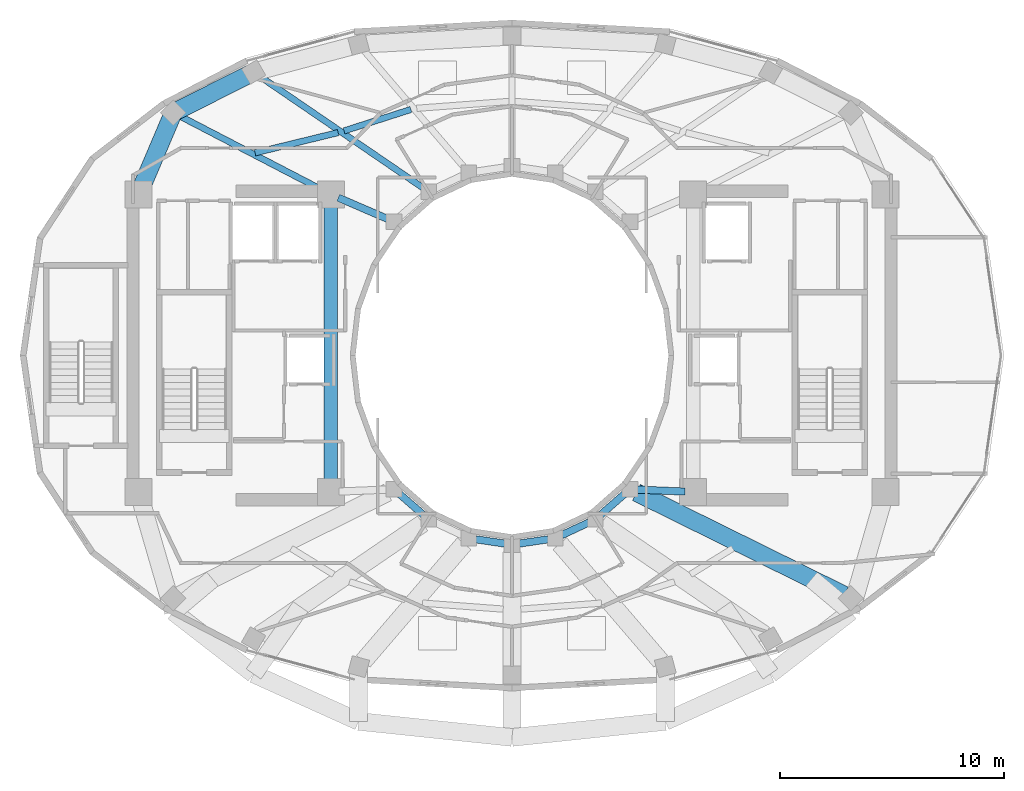
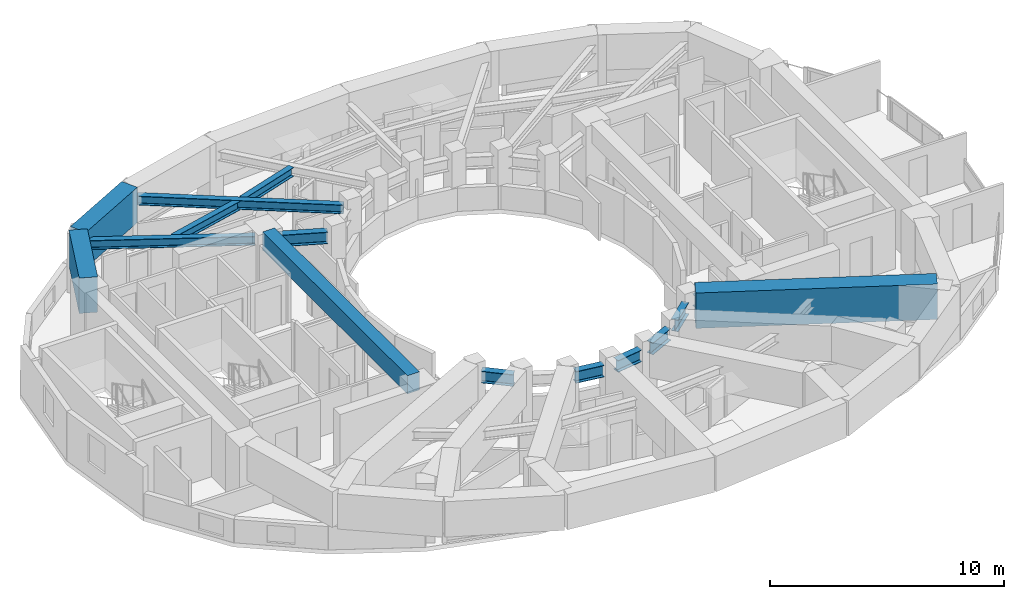
# One storey, part 5 of 19: 15 beams.
"""IFC4 building model written with IfcOpenShell, lengths in metres."""

from ifc_helpers import new_model, si_unit, direction, frame, origin, origin_2d, place, context, subcontext, project, spatial, rectangle, i_section, extrude, material, material_profile, profile_set, type_object, element, save


model = new_model("IFC4")

# Units and contexts
model_context = context("Model", 3, precision=1e-05, world=origin(), true_north=direction((0.0, 1.0)))
body_context = subcontext(model_context, "Body", "Model", "MODEL_VIEW")
ifc_project = project(units=[si_unit("LENGTHUNIT", "METRE"), si_unit("AREAUNIT", "SQUARE_METRE"), si_unit("VOLUMEUNIT", "CUBIC_METRE"), si_unit("PLANEANGLEUNIT", "RADIAN"), si_unit("MASSUNIT", "GRAM", prefix="KILO")], contexts=[model_context])

# Site, building, storey
site_placement = place(None, origin())
site = spatial("IfcSite", under=ifc_project, at=site_placement, CompositionType="ELEMENT")
building_placement = place(site_placement, origin())
building = spatial("IfcBuilding", under=site, at=building_placement, Name="Solvane Sanctuary Tower", CompositionType="ELEMENT")
storey_placement = place(building_placement, frame((0.0, 0.0, 207.800048828125)))
storey = spatial("IfcBuildingStorey", under=building, at=storey_placement, Name="L63", CompositionType="ELEMENT", Elevation=207.800048828125)

# Beams
ifc_material_1 = material(Name="Concrete C70/85", Category="concrete")
ifc_material_profile_1 = material_profile(ifc_material_1, rectangle(XDim=0.60009765625, YDim=0.949951171875, at=origin_2d()), Name="RC600X950")
ifc_profile_set_1 = profile_set([ifc_material_profile_1], Name="Concrete C70/85")
beam_type_1 = type_object("IfcBeamType", Name="Beam B-COUPLE RC600X950", PredefinedType="LINTEL", material=ifc_profile_set_1)
beam_1_placement = place(storey_placement, frame((23.89990234375, 17.35009765625, 2.625), z_axis=(0.0, 1.0, 0.0), x_axis=(-1.0, 0.0, 0.0)))
element("IfcBeam", 1, at=beam_1_placement, inside=storey, type_object=beam_type_1, Name="L63 West Core Coupling Lintel", PredefinedType="LINTEL", context=body_context, shape_type="SweptSolid", body=[
    extrude(rectangle(XDim=0.60009765625, YDim=0.949951171875, at=origin_2d()), origin(), (0.0, 0.0, 1.0), 12.39990234375),
])
ifc_material_2 = material(Name="Steel ASTM A992 Grade 50", Category="steel")
ifc_material_profile_2 = material_profile(ifc_material_2, i_section(OverallWidth=0.282958984375, OverallDepth=0.471923828125, WebThickness=0.013671875, FlangeThickness=0.022216796875, FilletRadius=0.013916015625, at=origin_2d()), Name="W18X97")
ifc_profile_set_2 = profile_set([ifc_material_profile_2], Name="Steel ASTM A992 Grade 50")
beam_type_2 = type_object("IfcBeamType", Name="Beam B-RAD-Z4 W18X97", PredefinedType="JOIST", material=ifc_profile_set_2)
beam_2_placement = place(storey_placement, frame((28.038818359375, 30.484619140625, 2.362060546875), z_axis=(-0.825707980649, 0.564097802418, 0.0), x_axis=(-0.564097802418, -0.825707980649, 0.0)))
element("IfcBeam", 2, at=beam_2_placement, inside=storey, type_object=beam_type_2, Name="L63 Radial Composite Floor Beam 06", PredefinedType="JOIST", context=body_context, shape_type="SweptSolid", body=[
    extrude(i_section(OverallWidth=0.282958984375, OverallDepth=0.471923828125, WebThickness=0.013671875, FlangeThickness=0.022216796875, FilletRadius=0.013916015625, at=origin_2d()), origin(), (0.0, 0.0, 1.0), 8.9169921875),
])
beam_3_placement = place(storey_placement, frame((23.58056640625, 30.365966796875, 2.362060546875), z_axis=(-0.887553429209, 0.460704797348, 0.0), x_axis=(-0.460704797348, -0.887553429209, 0.0)))
element("IfcBeam", 3, at=beam_3_placement, inside=storey, type_object=beam_type_2, Name="L63 Radial Composite Floor Beam 07", PredefinedType="JOIST", context=body_context, shape_type="SweptSolid", body=[
    extrude(i_section(OverallWidth=0.282958984375, OverallDepth=0.471923828125, WebThickness=0.013671875, FlangeThickness=0.022216796875, FilletRadius=0.013916015625, at=origin_2d()), origin(), (0.0, 0.0, 1.0), 7.297607421875),
])
ifc_material_profile_3 = material_profile(ifc_material_2, i_section(OverallWidth=0.324951171875, OverallDepth=0.615966796875, WebThickness=0.013916015625, FlangeThickness=0.021484375, FilletRadius=0.01611328125, at=origin_2d()), Name="W24X117")
ifc_profile_set_3 = profile_set([ifc_material_profile_3], Name="Steel ASTM A992 Grade 50")
beam_type_3 = type_object("IfcBeamType", Name="Beam B-RING-IN2 W24X117", PredefinedType="BEAM", material=ifc_profile_set_3)
beam_4_placement = place(storey_placement, frame((24.230712890625, 30.0576171875, 2.2900390625), z_axis=(0.918283854026, -0.395922673554, 0.0), x_axis=(0.395922673554, 0.918283854026, 0.0)))
element("IfcBeam", 4, at=beam_4_placement, inside=storey, type_object=beam_type_3, Name="L63 Inner Light-Well Ring Beam CW3-IC07", PredefinedType="BEAM", context=body_context, shape_type="SweptSolid", body=[
    extrude(i_section(OverallWidth=0.324951171875, OverallDepth=0.615966796875, WebThickness=0.013916015625, FlangeThickness=0.021484375, FilletRadius=0.01611328125, at=origin_2d()), origin(), (0.0, 0.0, 1.0), 2.396240234375),
])
beam_5_placement = place(storey_placement, frame((26.96630859375, 16.807861328125, 2.2900390625), z_axis=(0.754388985763, -0.656427648839, 0.0), x_axis=(0.656427648839, 0.754388985763, 0.0)))
element("IfcBeam", 5, at=beam_5_placement, inside=storey, type_object=beam_type_3, Name="L63 Inner Light-Well Ring Beam IC08-IC09", PredefinedType="BEAM", context=body_context, shape_type="SweptSolid", body=[
    extrude(i_section(OverallWidth=0.324951171875, OverallDepth=0.615966796875, WebThickness=0.013916015625, FlangeThickness=0.021484375, FilletRadius=0.01611328125, at=origin_2d()), origin(), (0.0, 0.0, 1.0), 1.408203125),
])
for number, where, z_axis, x_axis, name in (
    (6, (30.3857421875, 14.781005859375, 2.2900390625), (0.989056121481, -0.147539786368, 0.0), (0.147539786368, 0.989056121481, 0.0), "L63 Inner Light-Well Ring Beam IC10-IC11"),
    (7, (32.31640625, 14.58740234375, 2.2900390625), (0.989056121481, 0.147539786368, 0.0), (-0.147539786368, 0.989056121481, 0.0), "L63 Inner Light-Well Ring Beam IC11-IC12"),
):
    element("IfcBeam", number, at=place(storey_placement, frame(where, z_axis=z_axis, x_axis=x_axis)), inside=storey, type_object=beam_type_3, Name=name, PredefinedType="BEAM", context=body_context, shape_type="SweptSolid", body=[
        extrude(i_section(OverallWidth=0.324951171875, OverallDepth=0.615966796875, WebThickness=0.013916015625, FlangeThickness=0.021484375, FilletRadius=0.01611328125, at=origin_2d()), origin(), (0.0, 0.0, 1.0), 1.312255859375),
    ])
beam_6_placement = place(storey_placement, frame((34.220458984375, 14.96435546875, 2.2900390625), z_axis=(0.905134542189, 0.425125229241, 0.0), x_axis=(-0.425125229241, 0.905134542189, 0.0)))
element("IfcBeam", 8, at=beam_6_placement, inside=storey, type_object=beam_type_3, Name="L63 Inner Light-Well Ring Beam IC12-IC13", PredefinedType="BEAM", context=body_context, shape_type="SweptSolid", body=[
    extrude(i_section(OverallWidth=0.324951171875, OverallDepth=0.615966796875, WebThickness=0.013916015625, FlangeThickness=0.021484375, FilletRadius=0.01611328125, at=origin_2d()), origin(), (0.0, 0.0, 1.0), 1.347900390625),
])
beam_7_placement = place(storey_placement, frame((35.971435546875, 15.883544921875, 2.2900390625), z_axis=(0.754388985763, 0.656427648839, 0.0), x_axis=(-0.656427648839, 0.754388985763, 0.0)))
element("IfcBeam", 9, at=beam_7_placement, inside=storey, type_object=beam_type_3, Name="L63 Inner Light-Well Ring Beam IC13-IC14", PredefinedType="BEAM", context=body_context, shape_type="SweptSolid", body=[
    extrude(i_section(OverallWidth=0.324951171875, OverallDepth=0.615966796875, WebThickness=0.013916015625, FlangeThickness=0.021484375, FilletRadius=0.01611328125, at=origin_2d()), origin(), (0.0, 0.0, 1.0), 1.408203125),
])
beam_8_placement = place(storey_placement, frame((37.5947265625, 17.004638671875, 2.2900390625), z_axis=(0.999129127803, -0.041725124022, 0.0), x_axis=(0.041725124022, 0.999129127803, 0.0)))
element("IfcBeam", 10, at=beam_8_placement, inside=storey, type_object=beam_type_3, Name="L63 Inner Light-Well Ring Beam IC14-CE1", PredefinedType="BEAM", context=body_context, shape_type="SweptSolid", body=[
    extrude(i_section(OverallWidth=0.324951171875, OverallDepth=0.615966796875, WebThickness=0.013916015625, FlangeThickness=0.021484375, FilletRadius=0.01611328125, at=origin_2d()), origin(), (0.0, 0.0, 1.0), 2.1474609375),
])
ifc_material_profile_4 = material_profile(ifc_material_2, i_section(OverallWidth=0.280029296875, OverallDepth=0.462890625, WebThickness=0.0107421875, FlangeThickness=0.017333984375, FilletRadius=0.013916015625, at=origin_2d()), Name="W18X76")
ifc_profile_set_4 = profile_set([ifc_material_profile_4], Name="Steel ASTM A992 Grade 50")
beam_type_4 = type_object("IfcBeamType", Name="Beam B-SEC-JOIST W18X76", PredefinedType="JOIST", material=ifc_profile_set_4)
beam_9_placement = place(storey_placement, frame((20.510009765625, 32.060791015625, 2.366455078125), z_axis=(0.971494163165, 0.237063474489, 0.0), x_axis=(-0.237063474489, 0.971494163165, 0.0)))
element("IfcBeam", 11, at=beam_9_placement, inside=storey, type_object=beam_type_4, Name="L63 Secondary Circumferential Joist 07-06", PredefinedType="JOIST", context=body_context, shape_type="SweptSolid", body=[
    extrude(i_section(OverallWidth=0.280029296875, OverallDepth=0.462890625, WebThickness=0.0107421875, FlangeThickness=0.017333984375, FilletRadius=0.013916015625, at=origin_2d()), origin(), (0.0, 0.0, 1.0), 3.82373046875),
])
beam_10_placement = place(storey_placement, frame((24.487548828125, 33.04150390625, 2.366455078125), z_axis=(0.952124803756, 0.305709597612, 0.0), x_axis=(-0.305709597612, 0.952124803756, 0.0)))
element("IfcBeam", 12, at=beam_10_placement, inside=storey, type_object=beam_type_4, Name="L63 Secondary Circumferential Joist 06-05", PredefinedType="JOIST", context=body_context, shape_type="SweptSolid", body=[
    extrude(i_section(OverallWidth=0.280029296875, OverallDepth=0.462890625, WebThickness=0.0107421875, FlangeThickness=0.017333984375, FilletRadius=0.013916015625, at=origin_2d()), origin(), (0.0, 0.0, 1.0), 3.139404296875),
])
ifc_material_profile_5 = material_profile(ifc_material_1, rectangle(XDim=0.800048828125, YDim=1.85009765625, at=origin_2d()), Name="RC800X1850")
ifc_profile_set_5 = profile_set([ifc_material_profile_5], Name="Concrete C70/85")
beam_type_5 = type_object("IfcBeamType", Name="Beam B-XFER-BLK RC800X1850", PredefinedType="BEAM", material=ifc_profile_set_5)
beam_11_placement = place(storey_placement, frame((37.56201171875, 16.876220703125, 2.175048828125), z_axis=(0.896592388925, -0.442856735437, 0.0), x_axis=(0.442856735437, 0.896592388925, 0.0)))
element("IfcBeam", 13, at=beam_11_placement, inside=storey, type_object=beam_type_5, Name="L63 Block-Shift Radial Transfer Girder 14A", PredefinedType="BEAM", context=body_context, shape_type="SweptSolid", body=[
    extrude(rectangle(XDim=0.800048828125, YDim=1.85009765625, at=origin_2d()), origin(), (0.0, 0.0, 1.0), 10.367919921875),
])
beam_12_placement = place(storey_placement, frame((15.44091796875, 30.53125, 2.175048828125), z_axis=(0.391292272536, 0.920266460029, 0.0), x_axis=(-0.920266460029, 0.391292272536, 0.0)))
element("IfcBeam", 14, at=beam_12_placement, inside=storey, type_object=beam_type_5, Name="L63 Perimeter Step Transfer Ring CW4-NTC07", PredefinedType="BEAM", context=body_context, shape_type="SweptSolid", body=[
    extrude(rectangle(XDim=0.800048828125, YDim=1.85009765625, at=origin_2d()), origin(), (0.0, 0.0, 1.0), 3.61376953125),
])
beam_13_placement = place(storey_placement, frame((16.85498046875, 33.85693359375, 2.175048828125), z_axis=(0.892354283523, 0.451335609804, 0.0), x_axis=(-0.451335609804, 0.892354283523, 0.0)))
element("IfcBeam", 15, at=beam_13_placement, inside=storey, type_object=beam_type_5, Name="L63 Perimeter Step Transfer Ring NTC07-NTC06", PredefinedType="BEAM", context=body_context, shape_type="SweptSolid", body=[
    extrude(rectangle(XDim=0.800048828125, YDim=1.85009765625, at=origin_2d()), origin(), (0.0, 0.0, 1.0), 4.02294921875),
])

save(model, "model.ifc")
